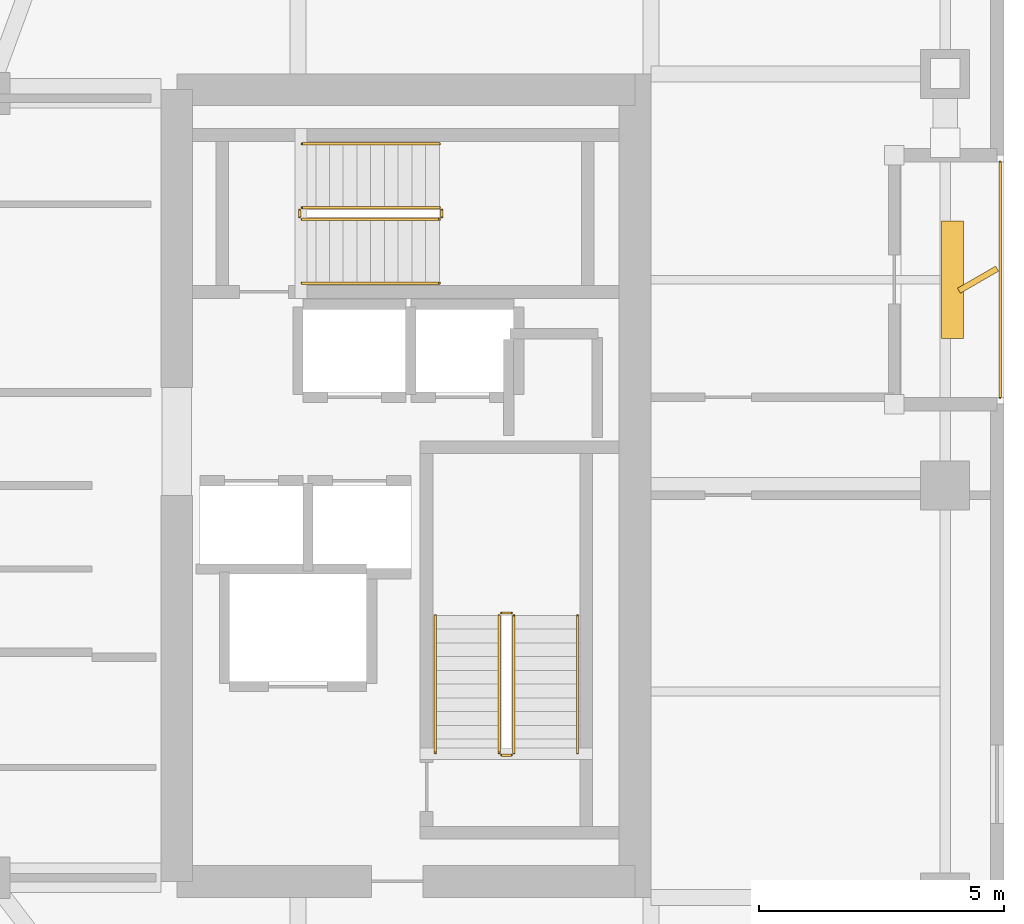
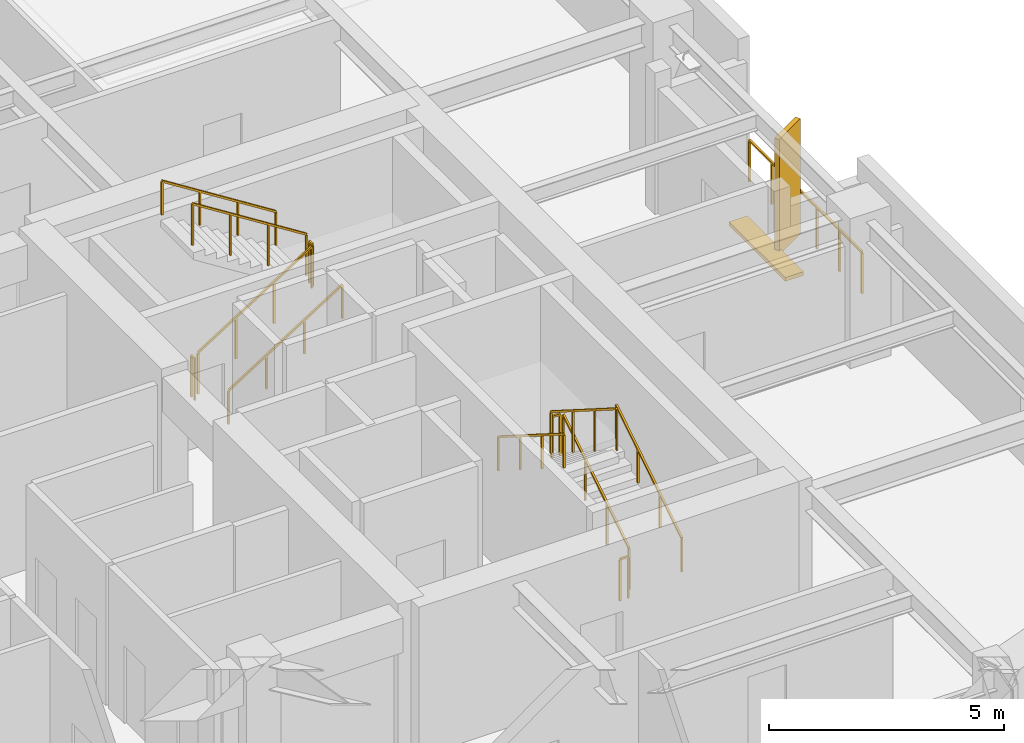
# One storey, part 21 of 22: 13 railings, 2 shading devices.
"""IFC4 building model written with IfcOpenShell, lengths in metres."""

from ifc_helpers import new_model, si_unit, direction, frame, origin, origin_2d, place, context, subcontext, project, spatial, rectangle, extrude, material, type_object, element, save


model = new_model("IFC4")

# Units and contexts
model_context = context("Model", 3, precision=1e-05, world=origin(), true_north=direction((0.0, 1.0)))
body_context = subcontext(model_context, "Body", "Model", "MODEL_VIEW")
ifc_project = project(units=[si_unit("LENGTHUNIT", "METRE"), si_unit("AREAUNIT", "SQUARE_METRE"), si_unit("VOLUMEUNIT", "CUBIC_METRE"), si_unit("PLANEANGLEUNIT", "RADIAN"), si_unit("MASSUNIT", "GRAM", prefix="KILO")], contexts=[model_context])

# Site, building, storey
site_placement = place(None, origin())
site = spatial("IfcSite", under=ifc_project, at=site_placement, CompositionType="ELEMENT")
building_placement = place(site_placement, origin())
building = spatial("IfcBuilding", under=site, at=building_placement, Name="Kiyonajd Concourse Tower", CompositionType="ELEMENT")
storey_placement = place(building_placement, frame((0.0, 0.0, 243.300048828125)))
storey = spatial("IfcBuildingStorey", under=building, at=storey_placement, Name="L61", CompositionType="ELEMENT", Elevation=243.300048828125)

# Railings
ifc_material_1 = material(Name="Thermally Broken Anodised Aluminium", Category="aluminium")
railing_type_1 = type_object("IfcRailingType", Name="RL-GRD-LOG", PredefinedType="GUARDRAIL", material=ifc_material_1)
railing_1_placement = place(storey_placement, frame((70.719970703125, 37.800048828125, 0.0)))
element("IfcRailing", 1, at=railing_1_placement, inside=storey, type_object=railing_type_1, Name="L61 Engawa Loggia Perimeter Guard LOG-E", PredefinedType="GUARDRAIL", context=body_context, shape_type="SweptSolid", body=[
    extrude(rectangle(XDim=0.048095703125, YDim=0.048095703125, at=origin_2d()), frame((0.0, 0.0, 1.076171875), z_axis=(0.0, 1.0, 0.0), x_axis=(-1.0, 0.0, 0.0)), (0.0, 0.0, 1.0), 4.800048828125),
    extrude(rectangle(XDim=0.0419921875, YDim=0.0419921875, at=origin_2d()), origin(), (0.0, 0.0, 1.0), 1.052001953125),
    extrude(rectangle(XDim=0.0419921875, YDim=0.0419921875, at=origin_2d()), frame((0.0, 0.9599609375, 0.0)), (0.0, 0.0, 1.0), 1.052001953125),
    extrude(rectangle(XDim=0.0419921875, YDim=0.0419921875, at=origin_2d()), frame((0.0, 1.919921875, 0.0)), (0.0, 0.0, 1.0), 1.052001953125),
    extrude(rectangle(XDim=0.0419921875, YDim=0.0419921875, at=origin_2d()), frame((0.0, 2.880126953125, 0.0)), (0.0, 0.0, 1.0), 1.052001953125),
    extrude(rectangle(XDim=0.0419921875, YDim=0.0419921875, at=origin_2d()), frame((0.0, 3.840087890625, 0.0)), (0.0, 0.0, 1.0), 1.052001953125),
    extrude(rectangle(XDim=0.0419921875, YDim=0.0419921875, at=origin_2d()), frame((0.0, 4.800048828125, 0.0)), (0.0, 0.0, 1.0), 1.052001953125),
])
ifc_material_2 = material(Name="Steel ASTM A500 Grade C", Category="steel")
railing_type_2 = type_object("IfcRailingType", Name="RL-GRD-STR", PredefinedType="GUARDRAIL", material=ifc_material_2)
railing_2_placement = place(storey_placement, frame((60.800048828125, 30.550048828125, 0.17724609375)))
element("IfcRailing", 2, at=railing_2_placement, inside=storey, type_object=railing_type_2, Name="L61 ST2 stair guard 1", PredefinedType="GUARDRAIL", context=body_context, shape_type="SweptSolid", body=[
    extrude(rectangle(XDim=0.048095703125, YDim=0.048095703125, at=origin_2d()), frame((0.0, 0.0, 1.076171875), z_axis=(0.0, 0.844908973607, 0.534910110503), x_axis=(-1.0, 0.0, 0.0)), (0.0, 0.0, 1.0), 3.31396484375),
    extrude(rectangle(XDim=0.0419921875, YDim=0.0419921875, at=origin_2d()), origin(), (0.0, 0.0, 1.0), 1.052001953125),
    extrude(rectangle(XDim=0.0419921875, YDim=0.0419921875, at=origin_2d()), frame((0.0, 0.933349609375, 0.5908203125)), (0.0, 0.0, 1.0), 1.052001953125),
    extrude(rectangle(XDim=0.0419921875, YDim=0.0419921875, at=origin_2d()), frame((0.0, 1.86669921875, 1.181884765625)), (0.0, 0.0, 1.0), 1.052001953125),
    extrude(rectangle(XDim=0.0419921875, YDim=0.0419921875, at=origin_2d()), frame((0.0, 2.800048828125, 1.772705078125)), (0.0, 0.0, 1.0), 1.052001953125),
])
railing_3_placement = place(storey_placement, frame((60.75, 33.39990234375, 1.949951171875)))
element("IfcRailing", 3, at=railing_3_placement, inside=storey, type_object=railing_type_2, Name="L61 ST2 stair guard 2", PredefinedType="GUARDRAIL", context=body_context, shape_type="SweptSolid", body=[
    extrude(rectangle(XDim=0.048095703125, YDim=0.048095703125, at=origin_2d()), frame((0.0, 0.0, 1.076171875), z_axis=(-1.0, 0.0, 0.0), x_axis=(0.0, -1.0, 0.0)), (0.0, 0.0, 1.0), 0.199951171875),
    extrude(rectangle(XDim=0.0419921875, YDim=0.0419921875, at=origin_2d()), origin(), (0.0, 0.0, 1.0), 1.052001953125),
    extrude(rectangle(XDim=0.0419921875, YDim=0.0419921875, at=origin_2d()), frame((-0.199951171875, 0.0, 0.0)), (0.0, 0.0, 1.0), 1.052001953125),
])
railing_4_placement = place(storey_placement, frame((60.5, 33.35009765625, 2.127197265625)))
element("IfcRailing", 4, at=railing_4_placement, inside=storey, type_object=railing_type_2, Name="L61 ST2 stair guard 3", PredefinedType="GUARDRAIL", context=body_context, shape_type="SweptSolid", body=[
    extrude(rectangle(XDim=0.048095703125, YDim=0.048095703125, at=origin_2d()), frame((0.0, 0.0, 1.076171875), z_axis=(0.0, -0.844908973607, 0.534910110503), x_axis=(1.0, 0.0, 0.0)), (0.0, 0.0, 1.0), 3.31396484375),
    extrude(rectangle(XDim=0.0419921875, YDim=0.0419921875, at=origin_2d()), origin(), (0.0, 0.0, 1.0), 1.052001953125),
    extrude(rectangle(XDim=0.0419921875, YDim=0.0419921875, at=origin_2d()), frame((0.0, -0.933349609375, 0.5908203125)), (0.0, 0.0, 1.0), 1.052001953125),
    extrude(rectangle(XDim=0.0419921875, YDim=0.0419921875, at=origin_2d()), frame((0.0, -1.86669921875, 1.181884765625)), (0.0, 0.0, 1.0), 1.052001953125),
    extrude(rectangle(XDim=0.0419921875, YDim=0.0419921875, at=origin_2d()), frame((0.0, -2.800048828125, 1.772705078125)), (0.0, 0.0, 1.0), 1.052001953125),
])
railing_5_placement = place(storey_placement, frame((60.75, 30.5, 0.0)))
element("IfcRailing", 5, at=railing_5_placement, inside=storey, type_object=railing_type_2, Name="L61 ST2 stair guard 4", PredefinedType="GUARDRAIL", context=body_context, shape_type="SweptSolid", body=[
    extrude(rectangle(XDim=0.048095703125, YDim=0.048095703125, at=origin_2d()), frame((0.0, 0.0, 1.076171875), z_axis=(-1.0, 0.0, 0.0), x_axis=(0.0, -1.0, 0.0)), (0.0, 0.0, 1.0), 0.199951171875),
    extrude(rectangle(XDim=0.0419921875, YDim=0.0419921875, at=origin_2d()), origin(), (0.0, 0.0, 1.0), 1.052001953125),
    extrude(rectangle(XDim=0.0419921875, YDim=0.0419921875, at=origin_2d()), frame((-0.199951171875, 0.0, 0.0)), (0.0, 0.0, 1.0), 1.052001953125),
])
railing_6_placement = place(storey_placement, frame((56.47998046875, 41.429931640625, 0.17724609375)))
element("IfcRailing", 6, at=railing_6_placement, inside=storey, type_object=railing_type_2, Name="L61 ST3 stair guard 1", PredefinedType="GUARDRAIL", context=body_context, shape_type="SweptSolid", body=[
    extrude(rectangle(XDim=0.048095703125, YDim=0.048095703125, at=origin_2d()), frame((0.0, 0.0, 1.076171875), z_axis=(0.844908973607, 0.0, 0.534910110503), x_axis=(0.0, 1.0, 0.0)), (0.0, 0.0, 1.0), 3.31396484375),
    extrude(rectangle(XDim=0.0419921875, YDim=0.0419921875, at=origin_2d()), origin(), (0.0, 0.0, 1.0), 1.052001953125),
    extrude(rectangle(XDim=0.0419921875, YDim=0.0419921875, at=origin_2d()), frame((0.933349609375, 0.0, 0.5908203125)), (0.0, 0.0, 1.0), 1.052001953125),
    extrude(rectangle(XDim=0.0419921875, YDim=0.0419921875, at=origin_2d()), frame((1.86669921875, 0.0, 1.181884765625)), (0.0, 0.0, 1.0), 1.052001953125),
    extrude(rectangle(XDim=0.0419921875, YDim=0.0419921875, at=origin_2d()), frame((2.800048828125, 0.0, 1.772705078125)), (0.0, 0.0, 1.0), 1.052001953125),
])
railing_7_placement = place(storey_placement, frame((59.330078125, 41.47998046875, 1.949951171875)))
element("IfcRailing", 7, at=railing_7_placement, inside=storey, type_object=railing_type_2, Name="L61 ST3 stair guard 2", PredefinedType="GUARDRAIL", context=body_context, shape_type="SweptSolid", body=[
    extrude(rectangle(XDim=0.048095703125, YDim=0.048095703125, at=origin_2d()), frame((0.0, 0.0, 1.076171875), z_axis=(0.0, 1.0, 0.0), x_axis=(-1.0, 0.0, 0.0)), (0.0, 0.0, 1.0), 0.14013671875),
    extrude(rectangle(XDim=0.0419921875, YDim=0.0419921875, at=origin_2d()), origin(), (0.0, 0.0, 1.0), 1.052001953125),
    extrude(rectangle(XDim=0.0419921875, YDim=0.0419921875, at=origin_2d()), frame((0.0, 0.14013671875, 0.0)), (0.0, 0.0, 1.0), 1.052001953125),
])
railing_8_placement = place(storey_placement, frame((59.280029296875, 41.669921875, 2.127197265625)))
element("IfcRailing", 8, at=railing_8_placement, inside=storey, type_object=railing_type_2, Name="L61 ST3 stair guard 3", PredefinedType="GUARDRAIL", context=body_context, shape_type="SweptSolid", body=[
    extrude(rectangle(XDim=0.048095703125, YDim=0.048095703125, at=origin_2d()), frame((0.0, 0.0, 1.076171875), z_axis=(-0.844908973607, 0.0, 0.534910110503), x_axis=(0.0, -1.0, 0.0)), (0.0, 0.0, 1.0), 3.31396484375),
    extrude(rectangle(XDim=0.0419921875, YDim=0.0419921875, at=origin_2d()), origin(), (0.0, 0.0, 1.0), 1.052001953125),
    extrude(rectangle(XDim=0.0419921875, YDim=0.0419921875, at=origin_2d()), frame((-0.933349609375, 0.0, 0.5908203125)), (0.0, 0.0, 1.0), 1.052001953125),
    extrude(rectangle(XDim=0.0419921875, YDim=0.0419921875, at=origin_2d()), frame((-1.86669921875, 0.0, 1.181884765625)), (0.0, 0.0, 1.0), 1.052001953125),
    extrude(rectangle(XDim=0.0419921875, YDim=0.0419921875, at=origin_2d()), frame((-2.800048828125, 0.0, 1.772705078125)), (0.0, 0.0, 1.0), 1.052001953125),
])
railing_9_placement = place(storey_placement, frame((56.429931640625, 41.47998046875, 0.0)))
element("IfcRailing", 9, at=railing_9_placement, inside=storey, type_object=railing_type_2, Name="L61 ST3 stair guard 4", PredefinedType="GUARDRAIL", context=body_context, shape_type="SweptSolid", body=[
    extrude(rectangle(XDim=0.048095703125, YDim=0.048095703125, at=origin_2d()), frame((0.0, 0.0, 1.076171875), z_axis=(0.0, 1.0, 0.0), x_axis=(-1.0, 0.0, 0.0)), (0.0, 0.0, 1.0), 0.14013671875),
    extrude(rectangle(XDim=0.0419921875, YDim=0.0419921875, at=origin_2d()), origin(), (0.0, 0.0, 1.0), 1.052001953125),
    extrude(rectangle(XDim=0.0419921875, YDim=0.0419921875, at=origin_2d()), frame((0.0, 0.14013671875, 0.0)), (0.0, 0.0, 1.0), 1.052001953125),
])
ifc_material_3 = material(Name="Brushed Stainless Steel Cab Assembly", Category="steel")
railing_type_3 = type_object("IfcRailingType", Name="RL-HND-900", PredefinedType="HANDRAIL", material=ifc_material_3)
railing_10_placement = place(storey_placement, frame((62.10009765625, 30.550048828125, 0.17724609375)))
element("IfcRailing", 10, at=railing_10_placement, inside=storey, type_object=railing_type_3, Name="L61 ST2 stair handrail 1", PredefinedType="HANDRAIL", context=body_context, shape_type="SweptSolid", body=[
    extrude(rectangle(XDim=0.048095703125, YDim=0.048095703125, at=origin_2d()), frame((0.0, 0.0, 0.8759765625), z_axis=(0.0, 0.844908973607, 0.534910110503), x_axis=(-1.0, 0.0, 0.0)), (0.0, 0.0, 1.0), 3.31396484375),
    extrude(rectangle(XDim=0.0419921875, YDim=0.0419921875, at=origin_2d()), origin(), (0.0, 0.0, 1.0), 0.851806640625),
    extrude(rectangle(XDim=0.0419921875, YDim=0.0419921875, at=origin_2d()), frame((0.0, 0.933349609375, 0.5908203125)), (0.0, 0.0, 1.0), 0.851806640625),
    extrude(rectangle(XDim=0.0419921875, YDim=0.0419921875, at=origin_2d()), frame((0.0, 1.86669921875, 1.181884765625)), (0.0, 0.0, 1.0), 0.851806640625),
    extrude(rectangle(XDim=0.0419921875, YDim=0.0419921875, at=origin_2d()), frame((0.0, 2.800048828125, 1.772705078125)), (0.0, 0.0, 1.0), 0.851806640625),
])
railing_11_placement = place(storey_placement, frame((59.199951171875, 33.35009765625, 2.127197265625)))
element("IfcRailing", 11, at=railing_11_placement, inside=storey, type_object=railing_type_3, Name="L61 ST2 stair handrail 2", PredefinedType="HANDRAIL", context=body_context, shape_type="SweptSolid", body=[
    extrude(rectangle(XDim=0.048095703125, YDim=0.048095703125, at=origin_2d()), frame((0.0, 0.0, 0.8759765625), z_axis=(0.0, -0.844908973607, 0.534910110503), x_axis=(1.0, 0.0, 0.0)), (0.0, 0.0, 1.0), 3.31396484375),
    extrude(rectangle(XDim=0.0419921875, YDim=0.0419921875, at=origin_2d()), origin(), (0.0, 0.0, 1.0), 0.851806640625),
    extrude(rectangle(XDim=0.0419921875, YDim=0.0419921875, at=origin_2d()), frame((0.0, -0.933349609375, 0.5908203125)), (0.0, 0.0, 1.0), 0.851806640625),
    extrude(rectangle(XDim=0.0419921875, YDim=0.0419921875, at=origin_2d()), frame((0.0, -1.86669921875, 1.181884765625)), (0.0, 0.0, 1.0), 0.851806640625),
    extrude(rectangle(XDim=0.0419921875, YDim=0.0419921875, at=origin_2d()), frame((0.0, -2.800048828125, 1.772705078125)), (0.0, 0.0, 1.0), 0.851806640625),
])
railing_12_placement = place(storey_placement, frame((56.47998046875, 40.1298828125, 0.17724609375)))
element("IfcRailing", 12, at=railing_12_placement, inside=storey, type_object=railing_type_3, Name="L61 ST3 stair handrail 1", PredefinedType="HANDRAIL", context=body_context, shape_type="SweptSolid", body=[
    extrude(rectangle(XDim=0.048095703125, YDim=0.048095703125, at=origin_2d()), frame((0.0, 0.0, 0.8759765625), z_axis=(0.844908973607, 0.0, 0.534910110503), x_axis=(0.0, 1.0, 0.0)), (0.0, 0.0, 1.0), 3.31396484375),
    extrude(rectangle(XDim=0.0419921875, YDim=0.0419921875, at=origin_2d()), origin(), (0.0, 0.0, 1.0), 0.851806640625),
    extrude(rectangle(XDim=0.0419921875, YDim=0.0419921875, at=origin_2d()), frame((0.933349609375, 0.0, 0.5908203125)), (0.0, 0.0, 1.0), 0.851806640625),
    extrude(rectangle(XDim=0.0419921875, YDim=0.0419921875, at=origin_2d()), frame((1.86669921875, 0.0, 1.181884765625)), (0.0, 0.0, 1.0), 0.851806640625),
    extrude(rectangle(XDim=0.0419921875, YDim=0.0419921875, at=origin_2d()), frame((2.800048828125, 0.0, 1.772705078125)), (0.0, 0.0, 1.0), 0.851806640625),
])
railing_13_placement = place(storey_placement, frame((59.280029296875, 42.969970703125, 2.127197265625)))
element("IfcRailing", 13, at=railing_13_placement, inside=storey, type_object=railing_type_3, Name="L61 ST3 stair handrail 2", PredefinedType="HANDRAIL", context=body_context, shape_type="SweptSolid", body=[
    extrude(rectangle(XDim=0.048095703125, YDim=0.048095703125, at=origin_2d()), frame((0.0, 0.0, 0.8759765625), z_axis=(-0.844908973607, 0.0, 0.534910110503), x_axis=(0.0, -1.0, 0.0)), (0.0, 0.0, 1.0), 3.31396484375),
    extrude(rectangle(XDim=0.0419921875, YDim=0.0419921875, at=origin_2d()), origin(), (0.0, 0.0, 1.0), 0.851806640625),
    extrude(rectangle(XDim=0.0419921875, YDim=0.0419921875, at=origin_2d()), frame((-0.933349609375, 0.0, 0.5908203125)), (0.0, 0.0, 1.0), 0.851806640625),
    extrude(rectangle(XDim=0.0419921875, YDim=0.0419921875, at=origin_2d()), frame((-1.86669921875, 0.0, 1.181884765625)), (0.0, 0.0, 1.0), 0.851806640625),
    extrude(rectangle(XDim=0.0419921875, YDim=0.0419921875, at=origin_2d()), frame((-2.800048828125, 0.0, 1.772705078125)), (0.0, 0.0, 1.0), 0.851806640625),
])

# Shading devices
ifc_material_4 = material(Name="Precast concrete C50/60", Category="concrete")
shading_device_type_1 = type_object("IfcShadingDeviceType", Name="SH-FIN-900", PredefinedType="USERDEFINED", material=ifc_material_4)
shading_device_1_placement = place(storey_placement, frame((70.27001953125, 40.199951171875, 0.0), z_axis=(0.0, 0.0, 1.0), x_axis=(0.866025403784, 0.5, 0.0)))
element("IfcShadingDevice", 14, at=shading_device_1_placement, inside=storey, type_object=shading_device_type_1, Name="L61 Angled Koshi Solar Fin LOG-E", ObjectType="FIN", PredefinedType="USERDEFINED", context=body_context, shape_type="SweptSolid", body=[
    extrude(rectangle(XDim=0.89990234375, YDim=0.1201171875, at=origin_2d()), origin(), (0.0, 0.0, 1.0), 3.0),
])
shading_device_type_2 = type_object("IfcShadingDeviceType", Name="SH-LVR-600", PredefinedType="JALOUSIE", material=ifc_material_1)
shading_device_2_placement = place(storey_placement, frame((69.75, 40.199951171875, 0.0), z_axis=(0.0, 0.0, 1.0), x_axis=(0.0, 1.0, 0.0)))
element("IfcShadingDevice", 15, at=shading_device_2_placement, inside=storey, type_object=shading_device_type_2, Name="L61 Loggia Threshold Louver LOG-E", PredefinedType="JALOUSIE", context=body_context, shape_type="SweptSolid", body=[
    extrude(rectangle(XDim=2.39990234375, YDim=0.449951171875, at=origin_2d()), origin(), (0.0, 0.0, 1.0), 0.10009765625),
])

save(model, "model.ifc")
